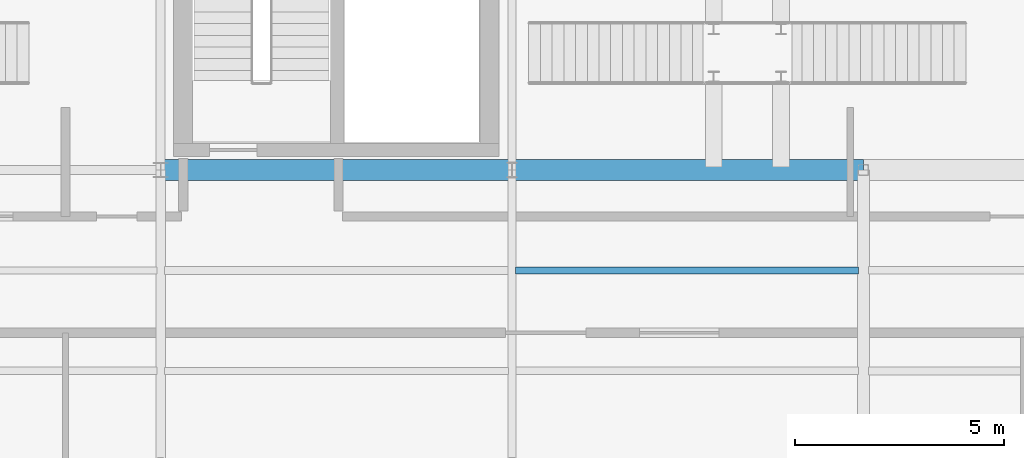
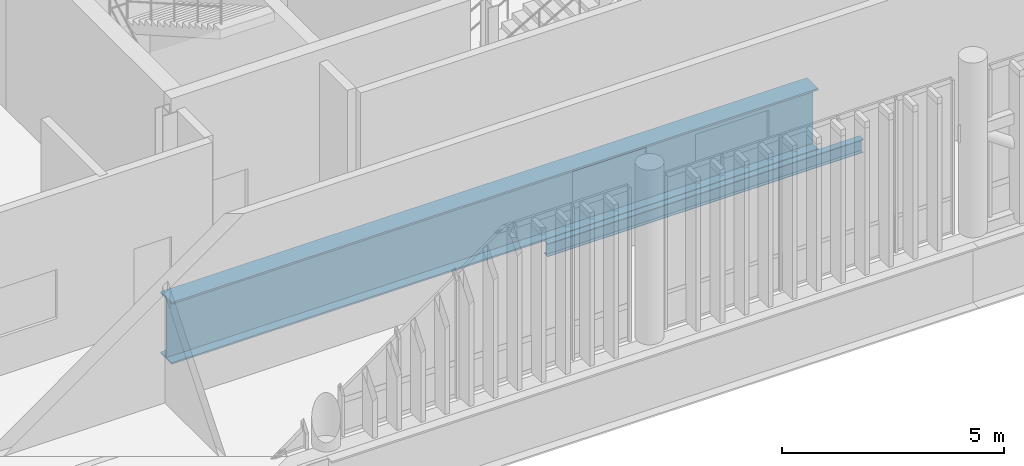
# One storey, part 33 of 86: 2 beams.
"""IFC4 building model written with IfcOpenShell, lengths in metres."""

from ifc_helpers import new_model, si_unit, direction, frame, origin_with_axes, origin_2d_with_axis, place, context, subcontext, project, spatial, i_section, extrude, material, material_profile, profile_set, type_object, element, save


model = new_model("IFC4")

# Units and contexts
model_context = context("Model", 3, precision=1e-05, world=origin_with_axes(), true_north=direction((0.0, 1.0)))
body_context = subcontext(model_context, "Body", "Model", "MODEL_VIEW")
ifc_project = project(units=[si_unit("LENGTHUNIT", "METRE"), si_unit("AREAUNIT", "SQUARE_METRE"), si_unit("VOLUMEUNIT", "CUBIC_METRE"), si_unit("PLANEANGLEUNIT", "RADIAN"), si_unit("MASSUNIT", "GRAM", prefix="KILO"), si_unit("THERMODYNAMICTEMPERATUREUNIT", "KELVIN")], contexts=[model_context])

# Site, building, storey
site_placement = place(None, origin_with_axes())
site = spatial("IfcSite", under=ifc_project, at=site_placement, CompositionType="ELEMENT")
building_placement = place(site_placement, origin_with_axes())
building = spatial("IfcBuilding", under=site, at=building_placement, Name="Montbau Bow Law Courts", CompositionType="ELEMENT")
storey_placement = place(building_placement, frame((0.0, 0.0, 29.7), z_axis=(0.0, 0.0, 1.0), x_axis=(1.0, 0.0, 0.0)))
storey = spatial("IfcBuildingStorey", under=building, at=storey_placement, Name="L06", CompositionType="ELEMENT", Elevation=29.7)

# Beams
ifc_material_1 = material(Name="Steel CSA G40.21 Grade 350W (350 MPa)", Category="steel")
ifc_material_profile_1 = material_profile(ifc_material_1, i_section(OverallWidth=0.172, OverallDepth=0.358, WebThickness=0.0079, FlangeThickness=0.0131, at=origin_2d_with_axis()), Name="W360X57", Category="Main", Priority=0)
ifc_profile_set_1 = profile_set([ifc_material_profile_1], Name="Steel CSA G40.21 Grade 350W (350 MPa)")
beam_type_1 = type_object("IfcBeamType", Name="B-JST-03", PredefinedType="JOIST", material=ifc_profile_set_1)
beam_1_placement = place(None, frame((88.88, 43.8, 29.181), z_axis=(1.0, 0.0, 0.0), x_axis=(0.0, 1.0, 0.0)))
element("IfcBeam", 1, at=beam_1_placement, inside=storey, type_object=beam_type_1, Name="JST-L06-S0522:jst2_0522", PredefinedType="JOIST", context=body_context, shape_type="SweptSolid", body=[
    extrude(i_section(OverallWidth=0.172, OverallDepth=0.358, WebThickness=0.0079, FlangeThickness=0.0131, at=origin_2d_with_axis()), origin_with_axes(), (0.0, 0.0, 1.0), 8.198),
])
ifc_material_2 = material(Name="Steel CSA G40.21 Grade 350WT (350 MPa)", Category="steel")
ifc_material_profile_2 = material_profile(ifc_material_2, i_section(OverallWidth=0.5, OverallDepth=1.7, WebThickness=0.02, FlangeThickness=0.045, at=origin_2d_with_axis()), Name="WWF1700X480", Category="Main", Priority=0)
ifc_profile_set_2 = profile_set([ifc_material_profile_2], Name="Steel CSA G40.21 Grade 350WT (350 MPa)")
beam_type_2 = type_object("IfcBeamType", Name="B-TRG-02", PredefinedType="USERDEFINED", material=ifc_profile_set_2)
beam_2_placement = place(None, frame((80.4, 46.2, 28.51), z_axis=(1.0, 0.0, 0.0), x_axis=(0.0, 1.0, 0.0)))
element("IfcBeam", 2, at=beam_2_placement, inside=storey, type_object=beam_type_2, Name="TRG-L06-S0061:bm2_0064", ObjectType="GIRDER", PredefinedType="USERDEFINED", context=body_context, shape_type="SweptSolid", body=[
    extrude(i_section(OverallWidth=0.5, OverallDepth=1.7, WebThickness=0.02, FlangeThickness=0.045, at=origin_2d_with_axis()), origin_with_axes(), (0.0, 0.0, 1.0), 16.8),
])

save(model, "model.ifc")
